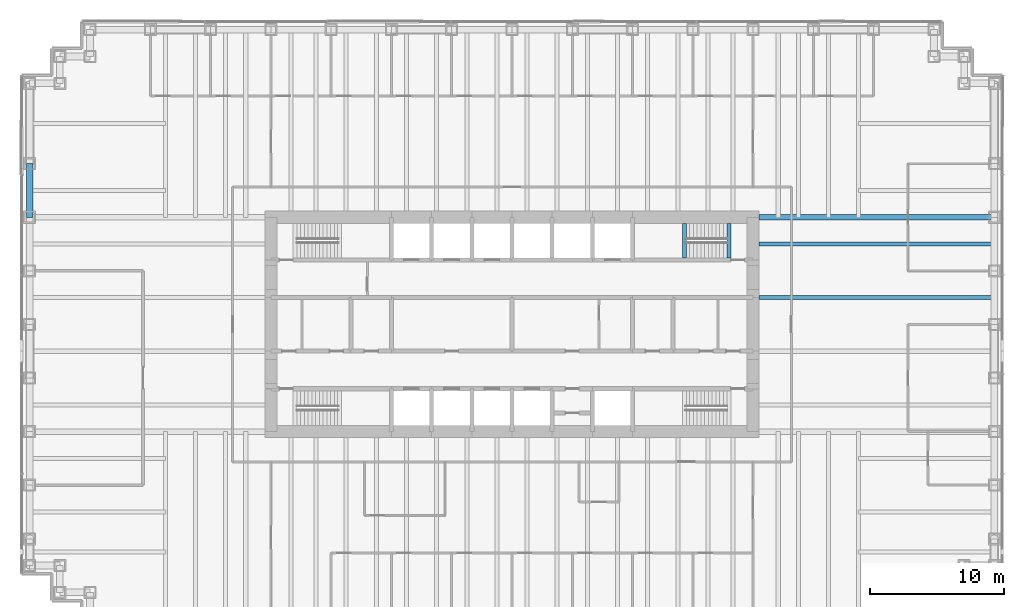
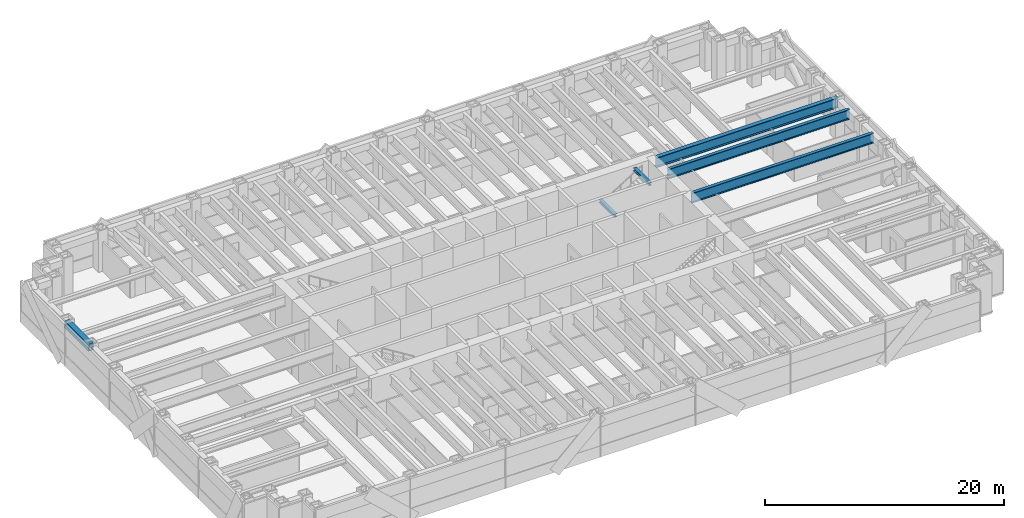
# One storey, part 4 of 16: 6 beams.
"""IFC4 building model written with IfcOpenShell, lengths in metres."""

from ifc_helpers import new_model, si_unit, direction, frame, origin, origin_2d, place, context, subcontext, project, spatial, hollow_rectangle, i_section, extrude, material, material_profile, profile_set, type_object, element, save


model = new_model("IFC4")

# Units and contexts
model_context = context("Model", 3, precision=1e-05, world=origin(), true_north=direction((0.0, 1.0)))
body_context = subcontext(model_context, "Body", "Model", "MODEL_VIEW")
ifc_project = project(units=[si_unit("LENGTHUNIT", "METRE"), si_unit("AREAUNIT", "SQUARE_METRE"), si_unit("VOLUMEUNIT", "CUBIC_METRE"), si_unit("PLANEANGLEUNIT", "RADIAN"), si_unit("MASSUNIT", "GRAM", prefix="KILO")], contexts=[model_context])

# Site, building, storey
site_placement = place(None, origin())
site = spatial("IfcSite", under=ifc_project, at=site_placement, CompositionType="ELEMENT")
building_placement = place(site_placement, origin())
building = spatial("IfcBuilding", under=site, at=building_placement, Name="Rheinbord Bourse Tower", CompositionType="ELEMENT")
storey_placement = place(building_placement, frame((0.0, 0.0, 176.10009765625)))
storey = spatial("IfcBuildingStorey", under=building, at=storey_placement, Name="L39", CompositionType="ELEMENT", Elevation=176.10009765625)

# Beams
ifc_material_1 = material(Name="Steel S460M", Category="steel")
ifc_material_profile_1 = material_profile(ifc_material_1, hollow_rectangle(XDim=0.5, YDim=0.699951171875, WallThickness=0.0400390625, at=origin_2d()), Name="BOX 700x500x40")
ifc_profile_set_1 = profile_set([ifc_material_profile_1], Name="Steel S460M")
beam_type_1 = type_object("IfcBeamType", Name="BELT CHORD BOX 700x500x40", PredefinedType="SPANDREL", material=ifc_profile_set_1)
beam_1_placement = place(storey_placement, frame((0.0, 36.0, 3.599853515625), z_axis=(0.0, -1.0, 0.0), x_axis=(1.0, 0.0, 0.0)))
element("IfcBeam", 1, at=beam_1_placement, inside=storey, type_object=beam_type_1, Name="Spandrel W-36-W-32 under L40", PredefinedType="SPANDREL", context=body_context, shape_type="SweptSolid", body=[
    extrude(hollow_rectangle(XDim=0.5, YDim=0.699951171875, WallThickness=0.0400390625, at=origin_2d()), origin(), (0.0, 0.0, 1.0), 4.0),
])
ifc_material_2 = material(Name="Steel S460", Category="steel")
ifc_material_profile_2 = material_profile(ifc_material_2, i_section(OverallWidth=0.302001953125, OverallDepth=1.008056640625, WebThickness=0.02099609375, FlangeThickness=0.0400390625, at=origin_2d()), Name="HEM 1000")
ifc_profile_set_2 = profile_set([ifc_material_profile_2], Name="Steel S460")
beam_type_2 = type_object("IfcBeamType", Name="END BEAM HEM 1000", PredefinedType="BEAM", material=ifc_profile_set_2)
for number, where, z_axis, x_axis, name in (
    (2, (54.449951171875, 26.0, 3.44580078125), (1.0, 0.0, 0.0), (0.0, 1.0, 0.0), "End beam east 26 L40"),
    (3, (54.449951171875, 30.0, 3.44580078125), (1.0, 0.0, 0.0), (0.0, 1.0, 0.0), "End beam east 30 L40"),
):
    element("IfcBeam", number, at=place(storey_placement, frame(where, z_axis=z_axis, x_axis=x_axis)), inside=storey, type_object=beam_type_2, Name=name, PredefinedType="BEAM", context=body_context, shape_type="SweptSolid", body=[
        extrude(i_section(OverallWidth=0.302001953125, OverallDepth=1.008056640625, WebThickness=0.02099609375, FlangeThickness=0.0400390625, at=origin_2d()), origin(), (0.0, 0.0, 1.0), 17.550048828125),
    ])
ifc_material_3 = material(Name="Steel S460", Category="steel")
ifc_material_profile_3 = material_profile(ifc_material_3, i_section(OverallWidth=0.404052734375, OverallDepth=1.02001953125, WebThickness=0.025390625, FlangeThickness=0.0458984375, at=origin_2d()), Name="HL 1000 x 483")
ifc_profile_set_3 = profile_set([ifc_material_profile_3], Name="Steel S460")
beam_type_3 = type_object("IfcBeamType", Name="GIRDER HL 1000 x 483", PredefinedType="BEAM", material=ifc_profile_set_3)
beam_2_placement = place(storey_placement, frame((54.449951171875, 32.0, 3.43994140625), z_axis=(1.0, 0.0, 0.0), x_axis=(0.0, 1.0, 0.0)))
element("IfcBeam", 4, at=beam_2_placement, inside=storey, type_object=beam_type_3, Name="Girder east 32 L40", PredefinedType="BEAM", context=body_context, shape_type="SweptSolid", body=[
    extrude(i_section(OverallWidth=0.404052734375, OverallDepth=1.02001953125, WebThickness=0.025390625, FlangeThickness=0.0458984375, at=origin_2d()), origin(), (0.0, 0.0, 1.0), 17.550048828125),
])
ifc_material_4 = material(Name="Steel S460", Category="steel")
ifc_material_profile_4 = material_profile(ifc_material_4, i_section(OverallWidth=0.300048828125, OverallDepth=0.300048828125, WebThickness=0.010986328125, FlangeThickness=0.01904296875, at=origin_2d()), Name="HEB 300")
ifc_profile_set_4 = profile_set([ifc_material_profile_4], Name="Steel S460")
beam_type_4 = type_object("IfcBeamType", Name="LANDING TRIMMER HEB 300", PredefinedType="BEAM", material=ifc_profile_set_4)
for number, where, z_axis, x_axis, name in (
    (5, (48.8701171875, 28.949951171875, 1.75), (0.0, 1.0, 0.0), (-1.0, 0.0, 0.0), "Landing trimmer ST4 L39"),
    (6, (52.199951171875, 28.949951171875, 3.7998046875), (0.0, 1.0, 0.0), (-1.0, 0.0, 0.0), "Well trimmer ST4 under L40"),
):
    element("IfcBeam", number, at=place(storey_placement, frame(where, z_axis=z_axis, x_axis=x_axis)), inside=storey, type_object=beam_type_4, Name=name, PredefinedType="BEAM", context=body_context, shape_type="SweptSolid", body=[
        extrude(i_section(OverallWidth=0.300048828125, OverallDepth=0.300048828125, WebThickness=0.010986328125, FlangeThickness=0.01904296875, at=origin_2d()), origin(), (0.0, 0.0, 1.0), 2.60009765625),
    ])

save(model, "model.ifc")
